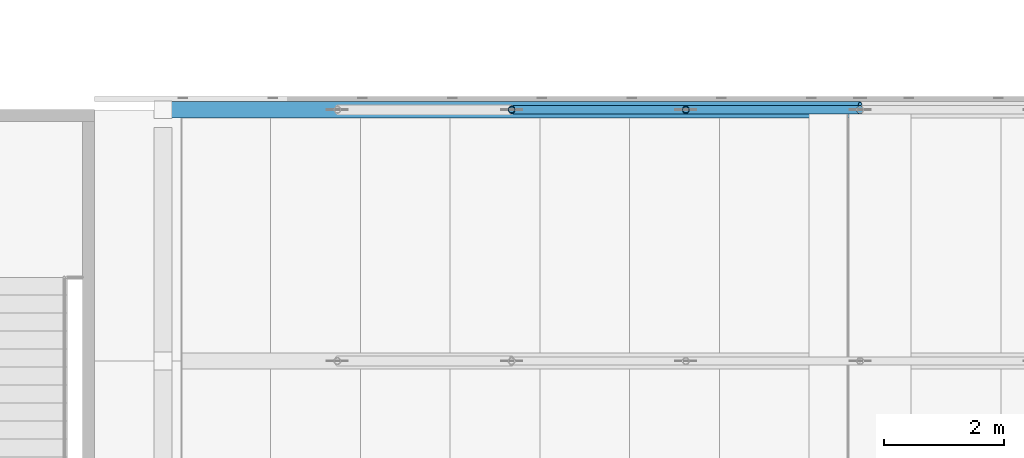
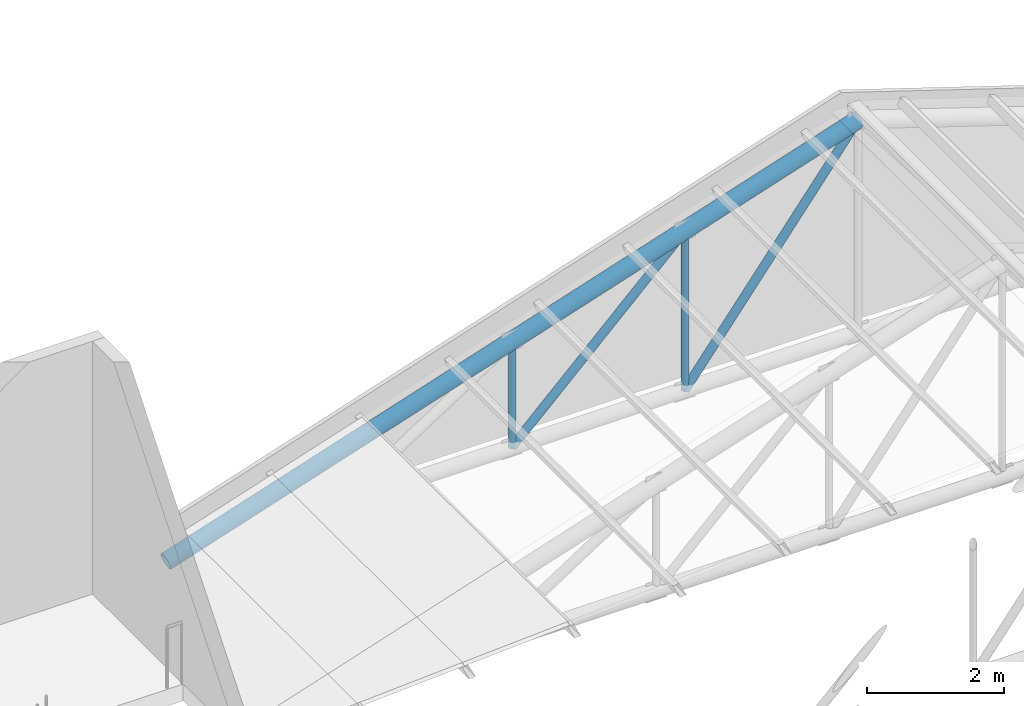
# One storey, part 53 of 95: 5 members.
"""IFC4 building model written with IfcOpenShell, lengths in metres."""

from ifc_helpers import new_model, si_unit, direction, frame, origin, origin_2d, place, context, subcontext, project, spatial, hollow_circle, extrude, material, material_profile, profile_set, type_object, element, save


model = new_model("IFC4")

# Units and contexts
model_context = context("Model", 3, precision=1e-05, world=origin(), true_north=direction((0.0, 1.0)))
body_context = subcontext(model_context, "Body", "Model", "MODEL_VIEW")
ifc_project = project(units=[si_unit("LENGTHUNIT", "METRE"), si_unit("AREAUNIT", "SQUARE_METRE"), si_unit("VOLUMEUNIT", "CUBIC_METRE"), si_unit("PLANEANGLEUNIT", "RADIAN"), si_unit("MASSUNIT", "GRAM", prefix="KILO")], contexts=[model_context])

# Site, building, storey
site_placement = place(None, origin())
site = spatial("IfcSite", under=ifc_project, at=site_placement, CompositionType="ELEMENT")
building_placement = place(site_placement, origin())
building = spatial("IfcBuilding", under=site, at=building_placement, Name="Kiln Court Media Centre", CompositionType="ELEMENT")
storey_placement = place(building_placement, frame((0.0, 0.0, 24.60009765625)))
storey = spatial("IfcBuildingStorey", under=building, at=storey_placement, Name="L05", CompositionType="ELEMENT", Elevation=24.60009765625)

# Members
ifc_material_1 = material(Name="Steel ASTM A500 Gr C", Category="steel")
ifc_material_profile_1 = material_profile(ifc_material_1, hollow_circle(Radius=0.05712890625, WallThickness=0.0048828125, at=origin_2d()), Name="CHS 114.3x5.0")
ifc_profile_set_1 = profile_set([ifc_material_profile_1], Name="Steel ASTM A500 Gr C")
member_type_1 = type_object("IfcMemberType", Name="Steel ASTM A500 Gr C CHS 114.3x5.0 truss web", PredefinedType="BRACE", material=ifc_profile_set_1)
member_1_placement = place(storey_placement, frame((40.574951171875, 67.199951171875, -0.013916015625), z_axis=(0.0, 0.0, 1.0), x_axis=(1.0, 0.0, 0.0)))
element("IfcMember", 1, at=member_1_placement, inside=storey, type_object=member_type_1, Name="foyer truss FT-11 post 2 truss web", PredefinedType="BRACE", context=body_context, shape_type="SweptSolid", body=[
    extrude(hollow_circle(Radius=0.05712890625, WallThickness=0.0048828125, at=origin_2d()), origin(), (0.0, 0.0, 1.0), 1.892822265625),
])
member_2_placement = place(storey_placement, frame((43.487548828125, 67.199951171875, -0.013916015625), z_axis=(0.0, 0.0, 1.0), x_axis=(1.0, 0.0, 0.0)))
element("IfcMember", 2, at=member_2_placement, inside=storey, type_object=member_type_1, Name="foyer truss FT-11 post 3 truss web", PredefinedType="BRACE", context=body_context, shape_type="SweptSolid", body=[
    extrude(hollow_circle(Radius=0.05712890625, WallThickness=0.0048828125, at=origin_2d()), origin(), (0.0, 0.0, 1.0), 2.839111328125),
])
ifc_material_2 = material(Name="Steel ASTM A500 Gr C", Category="steel")
ifc_material_profile_2 = material_profile(ifc_material_2, hollow_circle(Radius=0.06982421875, WallThickness=0.0048828125, at=origin_2d()), Name="CHS 139.7x5.0")
ifc_profile_set_2 = profile_set([ifc_material_profile_2], Name="Steel ASTM A500 Gr C")
member_type_2 = type_object("IfcMemberType", Name="Steel ASTM A500 Gr C CHS 139.7x5.0 truss web", PredefinedType="BRACE", material=ifc_profile_set_2)
member_3_placement = place(storey_placement, frame((40.574951171875, 67.199951171875, -0.013916015625), z_axis=(0.716082640751, 0.0, 0.69801550958), x_axis=(0.0, 1.0, 0.0)))
element("IfcMember", 3, at=member_3_placement, inside=storey, type_object=member_type_2, Name="foyer truss FT-11 diagonal 3 truss web", PredefinedType="BRACE", context=body_context, shape_type="SweptSolid", body=[
    extrude(hollow_circle(Radius=0.06982421875, WallThickness=0.0048828125, at=origin_2d()), origin(), (0.0, 0.0, 1.0), 4.0673828125),
])
member_4_placement = place(storey_placement, frame((43.487548828125, 67.199951171875, -0.013916015625), z_axis=(0.609777458127, 0.0, 0.79257267904), x_axis=(0.0, 1.0, 0.0)))
element("IfcMember", 4, at=member_4_placement, inside=storey, type_object=member_type_2, Name="foyer truss FT-11 diagonal 4 truss web", PredefinedType="BRACE", context=body_context, shape_type="SweptSolid", body=[
    extrude(hollow_circle(Radius=0.06982421875, WallThickness=0.0048828125, at=origin_2d()), origin(), (0.0, 0.0, 1.0), 4.776123046875),
])
ifc_material_3 = material(Name="Steel ASTM A500 Gr C", Category="steel")
ifc_material_profile_3 = material_profile(ifc_material_3, hollow_circle(Radius=0.136474609375, WallThickness=0.010009765625, at=origin_2d()), Name="CHS 273.0x10.0")
ifc_profile_set_3 = profile_set([ifc_material_profile_3], Name="Steel ASTM A500 Gr C")
member_type_3 = type_object("IfcMemberType", Name="Steel ASTM A500 Gr C CHS 273.0x10.0 truss chord", PredefinedType="CHORD", material=ifc_profile_set_3)
member_5_placement = place(storey_placement, frame((34.75, 67.199951171875, -0.013916015625), z_axis=(0.951053693326, 0.0, 0.309025682447), x_axis=(0.0, 1.0, 0.0)))
element("IfcMember", 5, at=member_5_placement, inside=storey, type_object=member_type_3, Name="foyer truss FT-11 west rafter truss chord", PredefinedType="CHORD", context=body_context, shape_type="SweptSolid", body=[
    extrude(hollow_circle(Radius=0.136474609375, WallThickness=0.010009765625, at=origin_2d()), origin(), (0.0, 0.0, 1.0), 12.24951171875),
])

save(model, "model.ifc")
